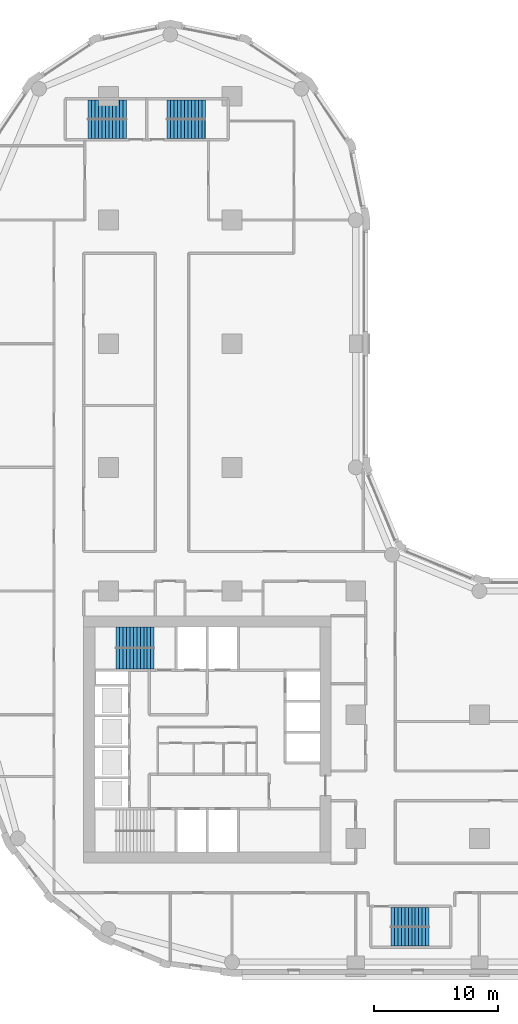
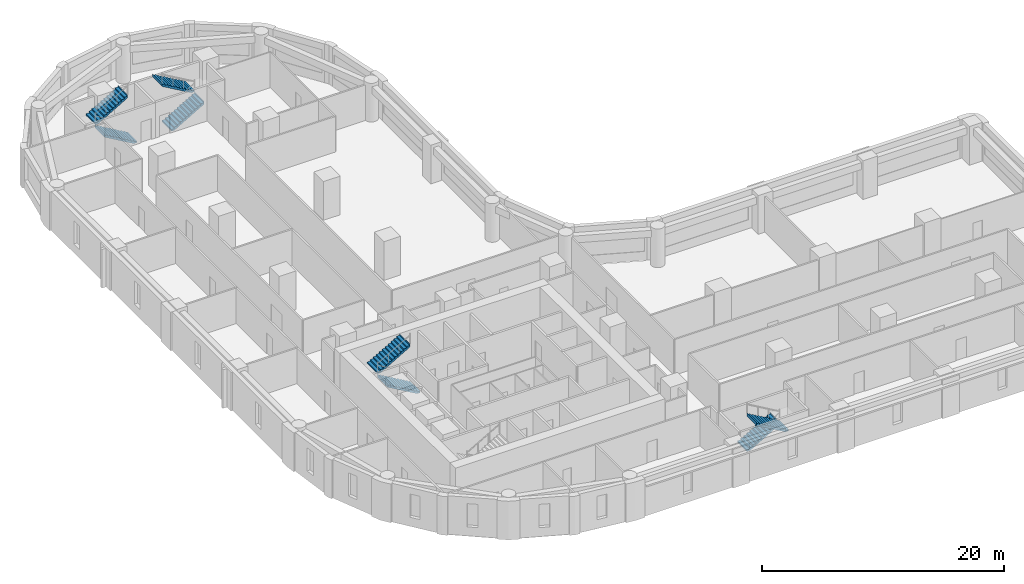
# One storey, part 9 of 11: 8 stair flights, 4 elements without a shape of their own.
"""IFC4 building model written with IfcOpenShell, lengths in metres."""

from ifc_helpers import new_model, si_unit, direction, frame, origin, place, context, subcontext, project, spatial, polyline, outline, extrude, material, type_object, element, aggregate, save


model = new_model("IFC4")

# Units and contexts
model_context = context("Model", 3, precision=1e-05, world=origin(), true_north=direction((0.0, 1.0)))
body_context = subcontext(model_context, "Body", "Model", "MODEL_VIEW")
ifc_project = project(units=[si_unit("LENGTHUNIT", "METRE"), si_unit("AREAUNIT", "SQUARE_METRE"), si_unit("VOLUMEUNIT", "CUBIC_METRE"), si_unit("PLANEANGLEUNIT", "RADIAN"), si_unit("MASSUNIT", "GRAM", prefix="KILO")], contexts=[model_context])

# Site, building, storey
site_placement = place(None, origin())
site = spatial("IfcSite", under=ifc_project, at=site_placement, CompositionType="ELEMENT")
building_placement = place(site_placement, origin())
building = spatial("IfcBuilding", under=site, at=building_placement, Name="Qaws Garden Tower", CompositionType="ELEMENT")
storey_placement = place(building_placement, frame((0.0, 0.0, 31.5)))
storey = spatial("IfcBuildingStorey", under=building, at=storey_placement, Name="L07", CompositionType="ELEMENT", Elevation=31.5)

# Stair, stair flights
ifc_material_1 = material(Name="Concrete C40", Category="concrete")
stair_type_1 = type_object("IfcStairType", Name="Exit stair 1350", PredefinedType="HALF_TURN_STAIR", material=ifc_material_1)
placement = place(storey_placement, origin())
stair_1 = element("IfcStair", 1, at=placement, inside=storey, type_object=stair_type_1, Name="Stair 5", PredefinedType="HALF_TURN_STAIR")
ifc_material_2 = material(Name="Concrete C40", Category="concrete")
stair_flight_type_1 = type_object("IfcStairFlightType", Name="Stair flight 1350", PredefinedType="STRAIGHT", material=ifc_material_2)
stair_flight_1_placement = place(storey_placement, frame((32.85009765625, 3.625, 0.0), z_axis=(0.0, 0.0, 1.0), x_axis=(1.0, 0.0, 0.0)))
stair_flight_1 = element("IfcStairFlight", 2, at=stair_flight_1_placement, type_object=stair_flight_type_1, Name="ST5 flight 1", NumberOfRisers=12, NumberOfTreads=11, PredefinedType="STRAIGHT", RiserHeight=0.1625, TreadLength=0.28, context=body_context, shape_type="SweptSolid", body=[
    extrude(outline(polyline([(-0.0029296875, 0.0), (-0.0029296875, 0.16259765625), (0.0, 0.16259765625), (0.280029296875, 0.16259765625), (0.280029296875, 0.324951171875), (0.56005859375, 0.324951171875), (0.56005859375, 0.487548828125), (0.840087890625, 0.487548828125), (0.840087890625, 0.64990234375), (1.1201171875, 0.64990234375), (1.1201171875, 0.8125), (1.39990234375, 0.8125), (1.39990234375, 0.97509765625), (1.679931640625, 0.97509765625), (1.679931640625, 1.137451171875), (1.9599609375, 1.137451171875), (1.9599609375, 1.300048828125), (2.239990234375, 1.300048828125), (2.239990234375, 1.46240234375), (2.52001953125, 1.46240234375), (2.52001953125, 1.625), (2.800048828125, 1.625), (2.800048828125, 1.78759765625), (3.080078125, 1.78759765625), (3.080078125, 1.949951171875), (3.0830078125, 1.949951171875), (3.0830078125, 1.6142578125), (3.080078125, 1.6142578125), (0.298583984375, 0.0), (-0.0029296875, 0.0)])), frame((0.0, 0.77490234375, 0.0), z_axis=(0.0, -1.0, 0.0), x_axis=(1.0, 0.0, 0.0)), (0.0, 0.0, 1.0), 1.550048828125),
])
stair_flight_2_placement = place(storey_placement, frame((35.929931640625, 2.074951171875, 1.949951171875), z_axis=(0.0, 0.0, 1.0), x_axis=(-1.0, 0.0, 0.0)))
stair_flight_2 = element("IfcStairFlight", 3, at=stair_flight_2_placement, type_object=stair_flight_type_1, Name="ST5 flight 2", NumberOfRisers=12, NumberOfTreads=11, PredefinedType="STRAIGHT", RiserHeight=0.1625, TreadLength=0.28, context=body_context, shape_type="SweptSolid", body=[
    extrude(outline(polyline([(-0.0029296875, 0.0), (-0.0029296875, 0.16259765625), (0.0, 0.16259765625), (0.280029296875, 0.16259765625), (0.280029296875, 0.324951171875), (0.56005859375, 0.324951171875), (0.56005859375, 0.487548828125), (0.840087890625, 0.487548828125), (0.840087890625, 0.64990234375), (1.1201171875, 0.64990234375), (1.1201171875, 0.8125), (1.39990234375, 0.8125), (1.39990234375, 0.97509765625), (1.679931640625, 0.97509765625), (1.679931640625, 1.137451171875), (1.9599609375, 1.137451171875), (1.9599609375, 1.300048828125), (2.239990234375, 1.300048828125), (2.239990234375, 1.46240234375), (2.52001953125, 1.46240234375), (2.52001953125, 1.625), (2.800048828125, 1.625), (2.800048828125, 1.78759765625), (3.080078125, 1.78759765625), (3.080078125, 1.949951171875), (3.0830078125, 1.949951171875), (3.0830078125, 1.6142578125), (3.080078125, 1.6142578125), (0.298583984375, 0.0), (-0.0029296875, 0.0)])), frame((0.0, 0.77490234375, 0.0), z_axis=(0.0, -1.0, 0.0), x_axis=(1.0, 0.0, 0.0)), (0.0, 0.0, 1.0), 1.550048828125),
])
aggregate(stair_1, [stair_flight_1, stair_flight_2])

stair_2 = element("IfcStair", 4, at=placement, inside=storey, type_object=stair_type_1, Name="Stair 6", PredefinedType="HALF_TURN_STAIR")
stair_flight_3_placement = place(storey_placement, frame((11.449951171875, 67.375, 0.0), z_axis=(0.0, 0.0, 1.0), x_axis=(-1.0, 0.0, 0.0)))
stair_flight_3 = element("IfcStairFlight", 5, at=stair_flight_3_placement, type_object=stair_flight_type_1, Name="ST6 flight 1", NumberOfRisers=12, NumberOfTreads=11, PredefinedType="STRAIGHT", RiserHeight=0.1625, TreadLength=0.28, context=body_context, shape_type="SweptSolid", body=[
    extrude(outline(polyline([(-0.0029296875, 0.0), (-0.0029296875, 0.16259765625), (0.0, 0.16259765625), (0.280029296875, 0.16259765625), (0.280029296875, 0.324951171875), (0.56005859375, 0.324951171875), (0.56005859375, 0.487548828125), (0.840087890625, 0.487548828125), (0.840087890625, 0.64990234375), (1.1201171875, 0.64990234375), (1.1201171875, 0.8125), (1.39990234375, 0.8125), (1.39990234375, 0.97509765625), (1.679931640625, 0.97509765625), (1.679931640625, 1.137451171875), (1.9599609375, 1.137451171875), (1.9599609375, 1.300048828125), (2.239990234375, 1.300048828125), (2.239990234375, 1.46240234375), (2.52001953125, 1.46240234375), (2.52001953125, 1.625), (2.800048828125, 1.625), (2.800048828125, 1.78759765625), (3.080078125, 1.78759765625), (3.080078125, 1.949951171875), (3.0830078125, 1.949951171875), (3.0830078125, 1.6142578125), (3.080078125, 1.6142578125), (0.298583984375, 0.0), (-0.0029296875, 0.0)])), frame((0.0, 0.77490234375, 0.0), z_axis=(0.0, -1.0, 0.0), x_axis=(1.0, 0.0, 0.0)), (0.0, 0.0, 1.0), 1.550048828125),
])
stair_flight_4_placement = place(storey_placement, frame((8.3701171875, 68.925048828125, 1.949951171875), z_axis=(0.0, 0.0, 1.0), x_axis=(1.0, 0.0, 0.0)))
stair_flight_4 = element("IfcStairFlight", 6, at=stair_flight_4_placement, type_object=stair_flight_type_1, Name="ST6 flight 2", NumberOfRisers=12, NumberOfTreads=11, PredefinedType="STRAIGHT", RiserHeight=0.1625, TreadLength=0.28, context=body_context, shape_type="SweptSolid", body=[
    extrude(outline(polyline([(-0.0029296875, 0.0), (-0.0029296875, 0.16259765625), (0.0, 0.16259765625), (0.280029296875, 0.16259765625), (0.280029296875, 0.324951171875), (0.56005859375, 0.324951171875), (0.56005859375, 0.487548828125), (0.840087890625, 0.487548828125), (0.840087890625, 0.64990234375), (1.1201171875, 0.64990234375), (1.1201171875, 0.8125), (1.39990234375, 0.8125), (1.39990234375, 0.97509765625), (1.679931640625, 0.97509765625), (1.679931640625, 1.137451171875), (1.9599609375, 1.137451171875), (1.9599609375, 1.300048828125), (2.239990234375, 1.300048828125), (2.239990234375, 1.46240234375), (2.52001953125, 1.46240234375), (2.52001953125, 1.625), (2.800048828125, 1.625), (2.800048828125, 1.78759765625), (3.080078125, 1.78759765625), (3.080078125, 1.949951171875), (3.0830078125, 1.949951171875), (3.0830078125, 1.6142578125), (3.080078125, 1.6142578125), (0.298583984375, 0.0), (-0.0029296875, 0.0)])), frame((0.0, 0.77490234375, 0.0), z_axis=(0.0, -1.0, 0.0), x_axis=(1.0, 0.0, 0.0)), (0.0, 0.0, 1.0), 1.550048828125),
])
aggregate(stair_2, [stair_flight_3, stair_flight_4])

stair_3 = element("IfcStair", 7, at=placement, inside=storey, type_object=stair_type_1, Name="Stair 7", PredefinedType="HALF_TURN_STAIR")
stair_flight_5_placement = place(storey_placement, frame((14.75, 67.375, 0.0), z_axis=(0.0, 0.0, 1.0), x_axis=(1.0, 0.0, 0.0)))
stair_flight_5 = element("IfcStairFlight", 8, at=stair_flight_5_placement, type_object=stair_flight_type_1, Name="ST7 flight 1", NumberOfRisers=12, NumberOfTreads=11, PredefinedType="STRAIGHT", RiserHeight=0.1625, TreadLength=0.28, context=body_context, shape_type="SweptSolid", body=[
    extrude(outline(polyline([(-0.0029296875, 0.0), (-0.0029296875, 0.16259765625), (0.0, 0.16259765625), (0.280029296875, 0.16259765625), (0.280029296875, 0.324951171875), (0.56005859375, 0.324951171875), (0.56005859375, 0.487548828125), (0.840087890625, 0.487548828125), (0.840087890625, 0.64990234375), (1.1201171875, 0.64990234375), (1.1201171875, 0.8125), (1.39990234375, 0.8125), (1.39990234375, 0.97509765625), (1.679931640625, 0.97509765625), (1.679931640625, 1.137451171875), (1.9599609375, 1.137451171875), (1.9599609375, 1.300048828125), (2.239990234375, 1.300048828125), (2.239990234375, 1.46240234375), (2.52001953125, 1.46240234375), (2.52001953125, 1.625), (2.800048828125, 1.625), (2.800048828125, 1.78759765625), (3.080078125, 1.78759765625), (3.080078125, 1.949951171875), (3.0830078125, 1.949951171875), (3.0830078125, 1.6142578125), (3.080078125, 1.6142578125), (0.298583984375, 0.0), (-0.0029296875, 0.0)])), frame((0.0, 0.77490234375, 0.0), z_axis=(0.0, -1.0, 0.0), x_axis=(1.0, 0.0, 0.0)), (0.0, 0.0, 1.0), 1.550048828125),
])
stair_flight_6_placement = place(storey_placement, frame((17.830078125, 68.925048828125, 1.949951171875), z_axis=(0.0, 0.0, 1.0), x_axis=(-1.0, 0.0, 0.0)))
stair_flight_6 = element("IfcStairFlight", 9, at=stair_flight_6_placement, type_object=stair_flight_type_1, Name="ST7 flight 2", NumberOfRisers=12, NumberOfTreads=11, PredefinedType="STRAIGHT", RiserHeight=0.1625, TreadLength=0.28, context=body_context, shape_type="SweptSolid", body=[
    extrude(outline(polyline([(-0.0029296875, 0.0), (-0.0029296875, 0.16259765625), (0.0, 0.16259765625), (0.280029296875, 0.16259765625), (0.280029296875, 0.324951171875), (0.56005859375, 0.324951171875), (0.56005859375, 0.487548828125), (0.840087890625, 0.487548828125), (0.840087890625, 0.64990234375), (1.1201171875, 0.64990234375), (1.1201171875, 0.8125), (1.39990234375, 0.8125), (1.39990234375, 0.97509765625), (1.679931640625, 0.97509765625), (1.679931640625, 1.137451171875), (1.9599609375, 1.137451171875), (1.9599609375, 1.300048828125), (2.239990234375, 1.300048828125), (2.239990234375, 1.46240234375), (2.52001953125, 1.46240234375), (2.52001953125, 1.625), (2.800048828125, 1.625), (2.800048828125, 1.78759765625), (3.080078125, 1.78759765625), (3.080078125, 1.949951171875), (3.0830078125, 1.949951171875), (3.0830078125, 1.6142578125), (3.080078125, 1.6142578125), (0.298583984375, 0.0), (-0.0029296875, 0.0)])), frame((0.0, 0.77490234375, 0.0), z_axis=(0.0, -1.0, 0.0), x_axis=(1.0, 0.0, 0.0)), (0.0, 0.0, 1.0), 1.550048828125),
])
aggregate(stair_3, [stair_flight_5, stair_flight_6])

ifc_material_3 = material(Name="Concrete C40", Category="concrete")
stair_type_2 = type_object("IfcStairType", Name="Exit stair 1500", PredefinedType="HALF_TURN_STAIR", material=ifc_material_3)
stair_4 = element("IfcStair", 10, at=placement, inside=storey, type_object=stair_type_2, Name="Stair 4", PredefinedType="HALF_TURN_STAIR")
ifc_material_4 = material(Name="Concrete C40", Category="concrete")
stair_flight_type_2 = type_object("IfcStairFlightType", Name="Stair flight 1500", PredefinedType="STRAIGHT", material=ifc_material_4)
stair_flight_7_placement = place(storey_placement, frame((13.699951171875, 24.550048828125, 0.0), z_axis=(0.0, 0.0, 1.0), x_axis=(-1.0, 0.0, 0.0)))
stair_flight_7 = element("IfcStairFlight", 11, at=stair_flight_7_placement, type_object=stair_flight_type_2, Name="ST4 flight 1", NumberOfRisers=12, NumberOfTreads=11, PredefinedType="STRAIGHT", RiserHeight=0.1625, TreadLength=0.28, context=body_context, shape_type="SweptSolid", body=[
    extrude(outline(polyline([(-0.0029296875, 0.0), (-0.0029296875, 0.16259765625), (0.0, 0.16259765625), (0.280029296875, 0.16259765625), (0.280029296875, 0.324951171875), (0.56005859375, 0.324951171875), (0.56005859375, 0.487548828125), (0.840087890625, 0.487548828125), (0.840087890625, 0.64990234375), (1.1201171875, 0.64990234375), (1.1201171875, 0.8125), (1.39990234375, 0.8125), (1.39990234375, 0.97509765625), (1.679931640625, 0.97509765625), (1.679931640625, 1.137451171875), (1.9599609375, 1.137451171875), (1.9599609375, 1.300048828125), (2.239990234375, 1.300048828125), (2.239990234375, 1.46240234375), (2.52001953125, 1.46240234375), (2.52001953125, 1.625), (2.800048828125, 1.625), (2.800048828125, 1.78759765625), (3.080078125, 1.78759765625), (3.080078125, 1.949951171875), (3.0830078125, 1.949951171875), (3.0830078125, 1.6142578125), (3.080078125, 1.6142578125), (0.298583984375, 0.0), (-0.0029296875, 0.0)])), frame((0.0, 0.844970703125, 0.0), z_axis=(0.0, -1.0, 0.0), x_axis=(1.0, 0.0, 0.0)), (0.0, 0.0, 1.0), 1.68994140625),
])
stair_flight_8_placement = place(storey_placement, frame((10.6201171875, 26.25, 1.949951171875), z_axis=(0.0, 0.0, 1.0), x_axis=(1.0, 0.0, 0.0)))
stair_flight_8 = element("IfcStairFlight", 12, at=stair_flight_8_placement, type_object=stair_flight_type_2, Name="ST4 flight 2", NumberOfRisers=12, NumberOfTreads=11, PredefinedType="STRAIGHT", RiserHeight=0.1625, TreadLength=0.28, context=body_context, shape_type="SweptSolid", body=[
    extrude(outline(polyline([(-0.0029296875, 0.0), (-0.0029296875, 0.16259765625), (0.0, 0.16259765625), (0.280029296875, 0.16259765625), (0.280029296875, 0.324951171875), (0.56005859375, 0.324951171875), (0.56005859375, 0.487548828125), (0.840087890625, 0.487548828125), (0.840087890625, 0.64990234375), (1.1201171875, 0.64990234375), (1.1201171875, 0.8125), (1.39990234375, 0.8125), (1.39990234375, 0.97509765625), (1.679931640625, 0.97509765625), (1.679931640625, 1.137451171875), (1.9599609375, 1.137451171875), (1.9599609375, 1.300048828125), (2.239990234375, 1.300048828125), (2.239990234375, 1.46240234375), (2.52001953125, 1.46240234375), (2.52001953125, 1.625), (2.800048828125, 1.625), (2.800048828125, 1.78759765625), (3.080078125, 1.78759765625), (3.080078125, 1.949951171875), (3.0830078125, 1.949951171875), (3.0830078125, 1.6142578125), (3.080078125, 1.6142578125), (0.298583984375, 0.0), (-0.0029296875, 0.0)])), frame((0.0, 0.844970703125, 0.0), z_axis=(0.0, -1.0, 0.0), x_axis=(1.0, 0.0, 0.0)), (0.0, 0.0, 1.0), 1.68994140625),
])
aggregate(stair_4, [stair_flight_7, stair_flight_8])

save(model, "model.ifc")
